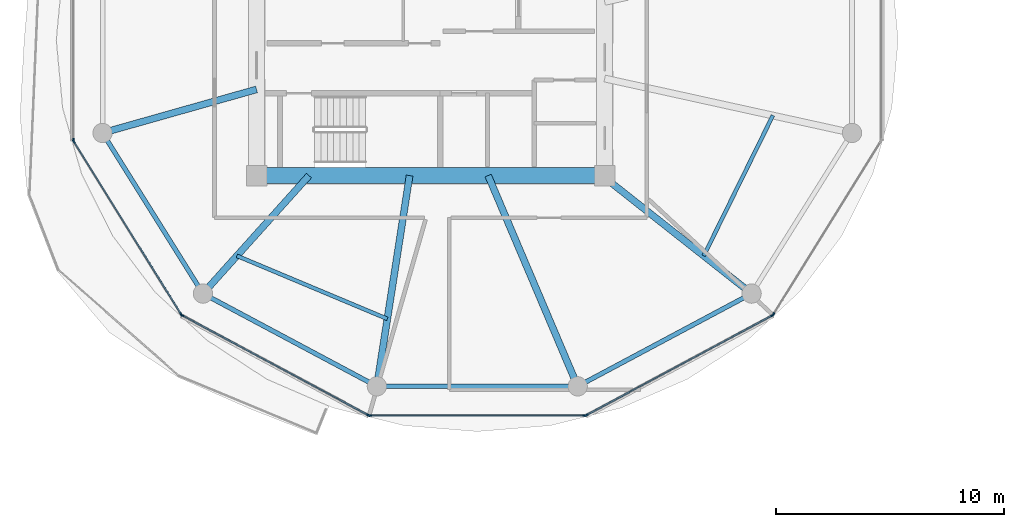
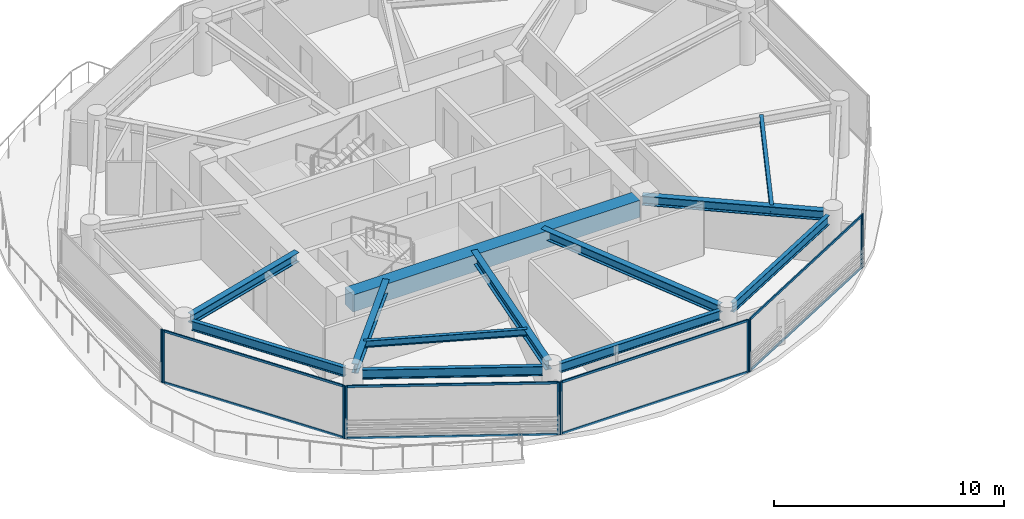
# One storey, part 2 of 22: 18 members, 12 beams, 6 elements without a shape of their own.
"""IFC4 building model written with IfcOpenShell, lengths in metres."""

from ifc_helpers import new_model, si_unit, direction, frame, origin, origin_2d, place, context, subcontext, project, spatial, rectangle, i_section, extrude, source, transform, mapped, material, layer, layer_set, material_profile, profile_set, type_object, type_shapes, element, aggregate, save


model = new_model("IFC4")

# Units and contexts
model_context = context("Model", 3, precision=1e-05, world=origin(), true_north=direction((0.0, 1.0)))
body_context = subcontext(model_context, "Body", "Model", "MODEL_VIEW")
ifc_project = project(units=[si_unit("LENGTHUNIT", "METRE"), si_unit("AREAUNIT", "SQUARE_METRE"), si_unit("VOLUMEUNIT", "CUBIC_METRE"), si_unit("PLANEANGLEUNIT", "RADIAN"), si_unit("MASSUNIT", "GRAM", prefix="KILO")], contexts=[model_context])

# Site, building, storey
site_placement = place(None, origin())
site = spatial("IfcSite", under=ifc_project, at=site_placement, CompositionType="ELEMENT")
building_placement = place(site_placement, origin())
building = spatial("IfcBuilding", under=site, at=building_placement, Name="Norrkilde Senior Care Towers", CompositionType="ELEMENT")
storey_placement = place(building_placement, frame((0.0, 0.0, 96.25)))
storey = spatial("IfcBuildingStorey", under=building, at=storey_placement, Name="L29", CompositionType="ELEMENT", Elevation=96.25)

# Beams
ifc_material_1 = material(Name="Concrete C60/75", Category="concrete")
ifc_material_profile_1 = material_profile(ifc_material_1, rectangle(XDim=0.699951171875, YDim=0.89990234375, at=origin_2d()), Name="RC BM 700x900")
ifc_profile_set_1 = profile_set([ifc_material_profile_1], Name="Concrete C60/75")
beam_type_1 = type_object("IfcBeamType", Name="Core Coupling Girder 700x900", PredefinedType="USERDEFINED", material=ifc_profile_set_1)
shared_shape_1 = source(origin(), body_context, "Body", "SweptSolid", [
    extrude(rectangle(XDim=0.699951171875, YDim=0.89990234375, at=origin_2d()), origin(), (0.0, 0.0, 1.0), 14.43994140625),
])
type_shapes(beam_type_1, [shared_shape_1])
beam_1_placement = place(storey_placement, frame((-35.219970703125, -5.949951171875, 2.340087890625), z_axis=(1.0, 0.0, 0.0), x_axis=(0.0, 1.0, 0.0)))
element("IfcBeam", 1, at=beam_1_placement, inside=storey, type_object=beam_type_1, Name="L29 Core W S Coupling Girder", ObjectType="GIRDER", PredefinedType="USERDEFINED", context=body_context, shape_type="MappedRepresentation", body=[
    mapped(shared_shape_1, transform((0.0, 0.0, 0.0), x_axis=(1.0, 0.0, 0.0), y_axis=(0.0, 1.0, 0.0), z_axis=(0.0, 0.0, 1.0), scale=1.0)),
])
ifc_material_2 = material(Name="Steel S355", Category="steel")
ifc_material_profile_2 = material_profile(ifc_material_2, i_section(OverallWidth=0.199951171875, OverallDepth=0.5, WebThickness=0.01025390625, FlangeThickness=0.01611328125, FilletRadius=0.02099609375, at=origin_2d()), Name="IPE 500")
ifc_profile_set_2 = profile_set([ifc_material_profile_2], Name="Steel S355")
beam_type_2 = type_object("IfcBeamType", Name="Perimeter Ring Spandrel Z2 IPE500", PredefinedType="SPANDREL", material=ifc_profile_set_2)
shared_shape_2 = source(origin(), body_context, "Body", "SweptSolid", [
    extrude(i_section(OverallWidth=0.199951171875, OverallDepth=0.5, WebThickness=0.01025390625, FlangeThickness=0.01611328125, FilletRadius=0.02099609375, at=origin_2d()), origin(), (0.0, 0.0, 1.0), 7.892333984375),
])
for number, where, z_axis, x_axis, name in (
    (2, (-37.66650390625, -11.318115234375, 2.5400390625), (0.882350372282, -0.47059305194, 0.0), (0.47059305194, 0.882350372282, 0.0), "L29 Drum W Perimeter Spandrel 08"),
    (3, (-21.197509765625, -15.0322265625, 2.5400390625), (0.882350372282, 0.47059305194, 0.0), (-0.47059305194, 0.882350372282, 0.0), "L29 Drum W Perimeter Spandrel 10"),
):
    element("IfcBeam", number, at=place(storey_placement, frame(where, z_axis=z_axis, x_axis=x_axis)), inside=storey, type_object=beam_type_2, Name=name, PredefinedType="SPANDREL", context=body_context, shape_type="MappedRepresentation", body=[
        mapped(shared_shape_2, transform((0.0, 0.0, 0.0), x_axis=(1.0, 0.0, 0.0), y_axis=(0.0, 1.0, 0.0), z_axis=(0.0, 0.0, 1.0), scale=1.0)),
    ])
ifc_material_profile_3 = material_profile(ifc_material_2, i_section(OverallWidth=0.300048828125, OverallDepth=0.5, WebThickness=0.014404296875, FlangeThickness=0.028076171875, FilletRadius=0.027099609375, at=origin_2d()), Name="HEB 500")
ifc_profile_set_3 = profile_set([ifc_material_profile_3], Name="Steel S355")
beam_type_3 = type_object("IfcBeamType", Name="Radial Floor Beam Z2 HEB500", PredefinedType="BEAM", material=ifc_profile_set_3)
shared_shape_3 = source(origin(), body_context, "Body", "SweptSolid", [
    extrude(i_section(OverallWidth=0.300048828125, OverallDepth=0.5, WebThickness=0.014404296875, FlangeThickness=0.028076171875, FilletRadius=0.027099609375, at=origin_2d()), origin(), (0.0, 0.0, 1.0), 7.985595703125),
])
beam_2_placement = place(storey_placement, frame((-20.463623046875, -5.949951171875, 2.5400390625), z_axis=(0.784858505144, -0.619675017169, 0.0), x_axis=(0.619675017169, 0.784858505144, 0.0)))
element("IfcBeam", 4, at=beam_2_placement, inside=storey, type_object=beam_type_3, Name="L29 Drum W Radial Floor Beam 11", PredefinedType="BEAM", context=body_context, shape_type="MappedRepresentation", body=[
    mapped(shared_shape_3, transform((0.0, 0.0, 0.0), x_axis=(1.0, 0.0, 0.0), y_axis=(0.0, 1.0, 0.0), z_axis=(0.0, 0.0, 1.0), scale=1.0)),
])
shared_shape_4 = source(origin(), body_context, "Body", "SweptSolid", [
    extrude(i_section(OverallWidth=0.199951171875, OverallDepth=0.5, WebThickness=0.01025390625, FlangeThickness=0.01611328125, FilletRadius=0.02099609375, at=origin_2d()), origin(), (0.0, 0.0, 1.0), 8.0556640625),
])
beam_3_placement = place(storey_placement, frame((-29.977783203125, -15.21337890625, 2.5400390625), z_axis=(1.0, 0.0, 0.0), x_axis=(0.0, 1.0, 0.0)))
element("IfcBeam", 5, at=beam_3_placement, inside=storey, type_object=beam_type_2, Name="L29 Drum W Perimeter Spandrel 09", PredefinedType="SPANDREL", context=body_context, shape_type="MappedRepresentation", body=[
    mapped(shared_shape_4, transform((0.0, 0.0, 0.0), x_axis=(1.0, 0.0, 0.0), y_axis=(0.0, 1.0, 0.0), z_axis=(0.0, 0.0, 1.0), scale=1.0)),
])
shared_shape_5 = source(origin(), body_context, "Body", "SweptSolid", [
    extrude(i_section(OverallWidth=0.300048828125, OverallDepth=0.5, WebThickness=0.014404296875, FlangeThickness=0.028076171875, FilletRadius=0.027099609375, at=origin_2d()), origin(), (0.0, 0.0, 1.0), 9.679443359375),
])
beam_4_placement = place(storey_placement, frame((-25.472412109375, -5.949951171875, 2.5400390625), z_axis=(0.390998033479, -0.920391513333, 0.0), x_axis=(0.920391513333, 0.390998033479, 0.0)))
element("IfcBeam", 6, at=beam_4_placement, inside=storey, type_object=beam_type_3, Name="L29 Drum W Radial Floor Beam 10", PredefinedType="BEAM", context=body_context, shape_type="MappedRepresentation", body=[
    mapped(shared_shape_5, transform((0.0, 0.0, 0.0), x_axis=(1.0, 0.0, 0.0), y_axis=(0.0, 1.0, 0.0), z_axis=(0.0, 0.0, 1.0), scale=1.0)),
])
shared_shape_6 = source(origin(), body_context, "Body", "SweptSolid", [
    extrude(i_section(OverallWidth=0.300048828125, OverallDepth=0.5, WebThickness=0.014404296875, FlangeThickness=0.028076171875, FilletRadius=0.027099609375, at=origin_2d()), origin(), (0.0, 0.0, 1.0), 8.989501953125),
])
beam_5_placement = place(storey_placement, frame((-28.924072265625, -5.949951171875, 2.5400390625), z_axis=(-0.153471298636, -0.988153105796, 0.0), x_axis=(0.988153105796, -0.153471298636, 0.0)))
element("IfcBeam", 7, at=beam_5_placement, inside=storey, type_object=beam_type_3, Name="L29 Drum W Radial Floor Beam 09", PredefinedType="BEAM", context=body_context, shape_type="MappedRepresentation", body=[
    mapped(shared_shape_6, transform((0.0, 0.0, 0.0), x_axis=(1.0, 0.0, 0.0), y_axis=(0.0, 1.0, 0.0), z_axis=(0.0, 0.0, 1.0), scale=1.0)),
])
shared_shape_7 = source(origin(), body_context, "Body", "SweptSolid", [
    extrude(i_section(OverallWidth=0.199951171875, OverallDepth=0.5, WebThickness=0.01025390625, FlangeThickness=0.01611328125, FilletRadius=0.02099609375, at=origin_2d()), origin(), (0.0, 0.0, 1.0), 7.556396484375),
])
type_shapes(beam_type_2, [shared_shape_2, shared_shape_4, shared_shape_7])
beam_6_placement = place(storey_placement, frame((-42.215087890625, -4.40283203125, 2.5400390625), z_axis=(0.530004748437, -0.847994673706, 0.0), x_axis=(0.847994673706, 0.530004748437, 0.0)))
element("IfcBeam", 8, at=beam_6_placement, inside=storey, type_object=beam_type_2, Name="L29 Drum W Perimeter Spandrel 07", PredefinedType="SPANDREL", context=body_context, shape_type="MappedRepresentation", body=[
    mapped(shared_shape_7, transform((0.0, 0.0, 0.0), x_axis=(1.0, 0.0, 0.0), y_axis=(0.0, 1.0, 0.0), z_axis=(0.0, 0.0, 1.0), scale=1.0)),
])
shared_shape_8 = source(origin(), body_context, "Body", "SweptSolid", [
    extrude(i_section(OverallWidth=0.300048828125, OverallDepth=0.5, WebThickness=0.014404296875, FlangeThickness=0.028076171875, FilletRadius=0.027099609375, at=origin_2d()), origin(), (0.0, 0.0, 1.0), 6.587890625),
])
beam_7_placement = place(storey_placement, frame((-33.345947265625, -5.949951171875, 2.5400390625), z_axis=(-0.668315438605, -0.743877997068, 0.0), x_axis=(0.743877997068, -0.668315438605, 0.0)))
element("IfcBeam", 9, at=beam_7_placement, inside=storey, type_object=beam_type_3, Name="L29 Drum W Radial Floor Beam 08", PredefinedType="BEAM", context=body_context, shape_type="MappedRepresentation", body=[
    mapped(shared_shape_8, transform((0.0, 0.0, 0.0), x_axis=(1.0, 0.0, 0.0), y_axis=(0.0, 1.0, 0.0), z_axis=(0.0, 0.0, 1.0), scale=1.0)),
])
shared_shape_9 = source(origin(), body_context, "Body", "SweptSolid", [
    extrude(i_section(OverallWidth=0.300048828125, OverallDepth=0.5, WebThickness=0.014404296875, FlangeThickness=0.028076171875, FilletRadius=0.027099609375, at=origin_2d()), origin(), (0.0, 0.0, 1.0), 6.6494140625),
])
type_shapes(beam_type_3, [shared_shape_3, shared_shape_5, shared_shape_6, shared_shape_8, shared_shape_9])
beam_8_placement = place(storey_placement, frame((-35.64990234375, -2.162841796875, 2.5400390625), z_axis=(-0.962289138357, -0.27202870106, 0.0), x_axis=(0.27202870106, -0.962289138357, 0.0)))
element("IfcBeam", 10, at=beam_8_placement, inside=storey, type_object=beam_type_3, Name="L29 Drum W Radial Floor Beam 07", PredefinedType="BEAM", context=body_context, shape_type="MappedRepresentation", body=[
    mapped(shared_shape_9, transform((0.0, 0.0, 0.0), x_axis=(1.0, 0.0, 0.0), y_axis=(0.0, 1.0, 0.0), z_axis=(0.0, 0.0, 1.0), scale=1.0)),
])
ifc_material_profile_4 = material_profile(ifc_material_2, i_section(OverallWidth=0.169921875, OverallDepth=0.360107421875, WebThickness=0.008056640625, FlangeThickness=0.0126953125, FilletRadius=0.01806640625, at=origin_2d()), Name="IPE 360")
ifc_profile_set_4 = profile_set([ifc_material_profile_4], Name="Steel S355")
beam_type_4 = type_object("IfcBeamType", Name="Secondary Floor Joist IPE360", PredefinedType="JOIST", material=ifc_profile_set_4)
shared_shape_10 = source(origin(), body_context, "Body", "SweptSolid", [
    extrude(i_section(OverallWidth=0.169921875, OverallDepth=0.360107421875, WebThickness=0.008056640625, FlangeThickness=0.0126953125, FilletRadius=0.01806640625, at=origin_2d()), origin(), (0.0, 0.0, 1.0), 7.169921875),
])
beam_9_placement = place(storey_placement, frame((-36.514892578125, -9.47705078125, 2.610107421875), z_axis=(0.922240600393, -0.386616444279, 0.0), x_axis=(0.386616444279, 0.922240600393, 0.0)))
element("IfcBeam", 11, at=beam_9_placement, inside=storey, type_object=beam_type_4, Name="L29 Drum W Secondary Floor Joist 3", PredefinedType="JOIST", context=body_context, shape_type="MappedRepresentation", body=[
    mapped(shared_shape_10, transform((0.0, 0.0, 0.0), x_axis=(1.0, 0.0, 0.0), y_axis=(0.0, 1.0, 0.0), z_axis=(0.0, 0.0, 1.0), scale=1.0)),
])
shared_shape_11 = source(origin(), body_context, "Body", "SweptSolid", [
    extrude(i_section(OverallWidth=0.169921875, OverallDepth=0.360107421875, WebThickness=0.008056640625, FlangeThickness=0.0126953125, FilletRadius=0.01806640625, at=origin_2d()), origin(), (0.0, 0.0, 1.0), 6.87353515625),
])
type_shapes(beam_type_4, [shared_shape_10, shared_shape_11])
beam_10_placement = place(storey_placement, frame((-15.99609375, -9.47705078125, 2.610107421875), z_axis=(0.44184939592, 0.897089243791, 0.0), x_axis=(-0.897089243791, 0.44184939592, 0.0)))
element("IfcBeam", 12, at=beam_10_placement, inside=storey, type_object=beam_type_4, Name="L29 Drum W Secondary Floor Joist 4", PredefinedType="JOIST", context=body_context, shape_type="MappedRepresentation", body=[
    mapped(shared_shape_11, transform((0.0, 0.0, 0.0), x_axis=(1.0, 0.0, 0.0), y_axis=(0.0, 1.0, 0.0), z_axis=(0.0, 0.0, 1.0), scale=1.0)),
])

# Curtain wall, member
ifc_material_3 = material(Name="Triple Low-E Insulated Glazing", Category="glass")
ifc_layer = layer(ifc_material_3, 0.195068359375)
ifc_layer_set = layer_set([ifc_layer], Name="Triple Low-E Insulated Glazing")
curtain_wall_type = type_object("IfcCurtainWallType", Name="CW3 Zone 2 Assisted Living Curtain Wall", PredefinedType="NOTDEFINED", material=ifc_layer_set)
curtain_wall_1_placement = place(storey_placement, origin())
curtain_wall_1 = element("IfcCurtainWall", 13, at=curtain_wall_1_placement, inside=storey, type_object=curtain_wall_type, Name="L29 Drum W Curtain Wall 05", PredefinedType="NOTDEFINED")
ifc_material_4 = material(Name="Anodised Aluminium", Category="aluminium")
ifc_material_profile_5 = material_profile(ifc_material_4, rectangle(XDim=0.06494140625, YDim=0.159912109375, at=origin_2d()), Name="ALU MULL 65x160")
ifc_profile_set_5 = profile_set([ifc_material_profile_5], Name="Anodised Aluminium")
member_type_1 = type_object("IfcMemberType", Name="Curtain Wall Mullion Z1-Z2 65x160", PredefinedType="MULLION", material=ifc_profile_set_5)
shared_shape_12 = source(origin(), body_context, "Body", "SweptSolid", [
    extrude(rectangle(XDim=0.06494140625, YDim=0.159912109375, at=origin_2d()), origin(), (0.0, 0.0, 1.0), 2.7900390625),
])
type_shapes(member_type_1, [shared_shape_12])
member_1_placement = place(storey_placement, frame((-43.70361328125, -4.38818359375, 0.0), z_axis=(0.0, 0.0, 1.0), x_axis=(-1.0, 0.0, 0.0)))
member_1 = element("IfcMember", 14, at=member_1_placement, type_object=member_type_1, Name="CW-3 mullion 1", PredefinedType="MULLION", context=body_context, shape_type="MappedRepresentation", body=[
    mapped(shared_shape_12, transform((0.0, 0.0, 0.0), x_axis=(1.0, 0.0, 0.0), y_axis=(0.0, 1.0, 0.0), z_axis=(0.0, 0.0, 1.0), scale=1.0)),
])
aggregate(curtain_wall_1, [member_1])

# Curtain wall, members
curtain_wall_2_placement = place(storey_placement, origin())
curtain_wall_2 = element("IfcCurtainWall", 15, at=curtain_wall_2_placement, inside=storey, type_object=curtain_wall_type, Name="L29 Drum W Curtain Wall 06", PredefinedType="NOTDEFINED")
member_2_placement = place(storey_placement, frame((-38.9638671875, -12.0498046875, 0.0), z_axis=(0.0, 0.0, 1.0), x_axis=(-0.849410171862, -0.527733228002, 0.0)))
member_2 = element("IfcMember", 16, at=member_2_placement, type_object=member_type_1, Name="CW-3 mullion 1", PredefinedType="MULLION", context=body_context, shape_type="MappedRepresentation", body=[
    mapped(shared_shape_12, transform((0.0, 0.0, 0.0), x_axis=(1.0, 0.0, 0.0), y_axis=(0.0, 1.0, 0.0), z_axis=(0.0, 0.0, 1.0), scale=1.0)),
])
member_3_placement = place(storey_placement, frame((-43.6865234375, -4.4482421875, 0.0), z_axis=(0.0, 0.0, 1.0), x_axis=(-0.849410171862, -0.527733228002, 0.0)))
member_3 = element("IfcMember", 17, at=member_3_placement, type_object=member_type_1, Name="CW-3 mullion 2", PredefinedType="MULLION", context=body_context, shape_type="MappedRepresentation", body=[
    mapped(shared_shape_12, transform((0.0, 0.0, 0.0), x_axis=(1.0, 0.0, 0.0), y_axis=(0.0, 1.0, 0.0), z_axis=(0.0, 0.0, 1.0), scale=1.0)),
])

curtain_wall_3_placement = place(storey_placement, origin())
curtain_wall_3 = element("IfcCurtainWall", 18, at=curtain_wall_3_placement, inside=storey, type_object=curtain_wall_type, Name="L29 Drum W Curtain Wall 07", PredefinedType="NOTDEFINED")
member_4_placement = place(storey_placement, frame((-30.73583984375, -16.482666015625, 0.0), z_axis=(0.0, 0.0, 1.0), x_axis=(-0.472769402511, -0.881186184668, 0.0)))
member_4 = element("IfcMember", 19, at=member_4_placement, type_object=member_type_1, Name="CW-3 mullion 1", PredefinedType="MULLION", context=body_context, shape_type="MappedRepresentation", body=[
    mapped(shared_shape_12, transform((0.0, 0.0, 0.0), x_axis=(1.0, 0.0, 0.0), y_axis=(0.0, 1.0, 0.0), z_axis=(0.0, 0.0, 1.0), scale=1.0)),
])
member_5_placement = place(storey_placement, frame((-38.91796875, -12.0927734375, 0.0), z_axis=(0.0, 0.0, 1.0), x_axis=(-0.472769402511, -0.881186184668, 0.0)))
member_5 = element("IfcMember", 20, at=member_5_placement, type_object=member_type_1, Name="CW-3 mullion 2", PredefinedType="MULLION", context=body_context, shape_type="MappedRepresentation", body=[
    mapped(shared_shape_12, transform((0.0, 0.0, 0.0), x_axis=(1.0, 0.0, 0.0), y_axis=(0.0, 1.0, 0.0), z_axis=(0.0, 0.0, 1.0), scale=1.0)),
])

curtain_wall_4_placement = place(storey_placement, origin())
curtain_wall_4 = element("IfcCurtainWall", 21, at=curtain_wall_4_placement, inside=storey, type_object=curtain_wall_type, Name="L29 Drum W Curtain Wall 08", PredefinedType="NOTDEFINED")
member_6_placement = place(storey_placement, frame((-21.225341796875, -16.498046875, 0.0), z_axis=(0.0, 0.0, 1.0), x_axis=(0.0, -1.0, 0.0)))
member_6 = element("IfcMember", 22, at=member_6_placement, type_object=member_type_1, Name="CW-3 mullion 1", PredefinedType="MULLION", context=body_context, shape_type="MappedRepresentation", body=[
    mapped(shared_shape_12, transform((0.0, 0.0, 0.0), x_axis=(1.0, 0.0, 0.0), y_axis=(0.0, 1.0, 0.0), z_axis=(0.0, 0.0, 1.0), scale=1.0)),
])
member_7_placement = place(storey_placement, frame((-30.674560546875, -16.498046875, 0.0), z_axis=(0.0, 0.0, 1.0), x_axis=(0.0, -1.0, 0.0)))
member_7 = element("IfcMember", 23, at=member_7_placement, type_object=member_type_1, Name="CW-3 mullion 2", PredefinedType="MULLION", context=body_context, shape_type="MappedRepresentation", body=[
    mapped(shared_shape_12, transform((0.0, 0.0, 0.0), x_axis=(1.0, 0.0, 0.0), y_axis=(0.0, 1.0, 0.0), z_axis=(0.0, 0.0, 1.0), scale=1.0)),
])

curtain_wall_5_placement = place(storey_placement, origin())
curtain_wall_5 = element("IfcCurtainWall", 24, at=curtain_wall_5_placement, inside=storey, type_object=curtain_wall_type, Name="L29 Drum W Curtain Wall 09", PredefinedType="NOTDEFINED")
member_8_placement = place(storey_placement, frame((-12.98193359375, -12.0927734375, 0.0), z_axis=(0.0, 0.0, 1.0), x_axis=(0.472769402511, -0.881186184668, 0.0)))
member_8 = element("IfcMember", 25, at=member_8_placement, type_object=member_type_1, Name="CW-3 mullion 1", PredefinedType="MULLION", context=body_context, shape_type="MappedRepresentation", body=[
    mapped(shared_shape_12, transform((0.0, 0.0, 0.0), x_axis=(1.0, 0.0, 0.0), y_axis=(0.0, 1.0, 0.0), z_axis=(0.0, 0.0, 1.0), scale=1.0)),
])
member_9_placement = place(storey_placement, frame((-21.164306640625, -16.482666015625, 0.0), z_axis=(0.0, 0.0, 1.0), x_axis=(0.472769402511, -0.881186184668, 0.0)))
member_9 = element("IfcMember", 26, at=member_9_placement, type_object=member_type_1, Name="CW-3 mullion 2", PredefinedType="MULLION", context=body_context, shape_type="MappedRepresentation", body=[
    mapped(shared_shape_12, transform((0.0, 0.0, 0.0), x_axis=(1.0, 0.0, 0.0), y_axis=(0.0, 1.0, 0.0), z_axis=(0.0, 0.0, 1.0), scale=1.0)),
])

# Curtain wall, member
curtain_wall_6_placement = place(storey_placement, origin())
curtain_wall_6 = element("IfcCurtainWall", 27, at=curtain_wall_6_placement, inside=storey, type_object=curtain_wall_type, Name="L29 Drum W Curtain Wall 10", PredefinedType="NOTDEFINED")
member_10_placement = place(storey_placement, frame((-12.936279296875, -12.0498046875, 0.0), z_axis=(0.0, 0.0, 1.0), x_axis=(0.849410171862, -0.527733228002, 0.0)))
member_10 = element("IfcMember", 28, at=member_10_placement, type_object=member_type_1, Name="CW-3 mullion 2", PredefinedType="MULLION", context=body_context, shape_type="MappedRepresentation", body=[
    mapped(shared_shape_12, transform((0.0, 0.0, 0.0), x_axis=(1.0, 0.0, 0.0), y_axis=(0.0, 1.0, 0.0), z_axis=(0.0, 0.0, 1.0), scale=1.0)),
])
aggregate(curtain_wall_6, [member_10])

# Member
ifc_material_profile_6 = material_profile(ifc_material_4, rectangle(XDim=0.06005859375, YDim=0.1201171875, at=origin_2d()), Name="ALU TRAN 60x120")
ifc_profile_set_6 = profile_set([ifc_material_profile_6], Name="Anodised Aluminium")
member_type_2 = type_object("IfcMemberType", Name="Curtain Wall Transom Typical 60x120", PredefinedType="USERDEFINED", material=ifc_profile_set_6)
shared_shape_13 = source(origin(), body_context, "Body", "SweptSolid", [
    extrude(rectangle(XDim=0.06005859375, YDim=0.1201171875, at=origin_2d()), origin(), (0.0, 0.0, 1.0), 8.88427734375),
])
member_11_placement = place(storey_placement, frame((-38.98095703125, -12.022216796875, 0.030029296875), z_axis=(-0.527729466743, 0.849412508697, 0.0), x_axis=(-0.849412508697, -0.527729466743, 0.0)))
member_11 = element("IfcMember", 29, at=member_11_placement, type_object=member_type_2, Name="CW-3 transom 1.1", ObjectType="TRANSOM", PredefinedType="USERDEFINED", context=body_context, shape_type="MappedRepresentation", body=[
    mapped(shared_shape_13, transform((0.0, 0.0, 0.0), x_axis=(1.0, 0.0, 0.0), y_axis=(0.0, 1.0, 0.0), z_axis=(0.0, 0.0, 1.0), scale=1.0)),
])

member_12_placement = place(storey_placement, frame((-38.98095703125, -12.022216796875, 2.760009765625), z_axis=(-0.527729466743, 0.849412508697, 0.0), x_axis=(-0.849412508697, -0.527729466743, 0.0)))
member_12 = element("IfcMember", 30, at=member_12_placement, type_object=member_type_2, Name="CW-3 transom 1.2", ObjectType="TRANSOM", PredefinedType="USERDEFINED", context=body_context, shape_type="MappedRepresentation", body=[
    mapped(shared_shape_13, transform((0.0, 0.0, 0.0), x_axis=(1.0, 0.0, 0.0), y_axis=(0.0, 1.0, 0.0), z_axis=(0.0, 0.0, 1.0), scale=1.0)),
])

aggregate(curtain_wall_2, [member_2, member_3, member_11, member_12])

shared_shape_14 = source(origin(), body_context, "Body", "SweptSolid", [
    extrude(rectangle(XDim=0.06005859375, YDim=0.1201171875, at=origin_2d()), origin(), (0.0, 0.0, 1.0), 9.220458984375),
])
member_13_placement = place(storey_placement, frame((-30.764404296875, -16.46728515625, 0.030029296875), z_axis=(-0.881188517866, 0.472765053681, 0.0), x_axis=(-0.472765053681, -0.881188517866, 0.0)))
member_13 = element("IfcMember", 31, at=member_13_placement, type_object=member_type_2, Name="CW-3 transom 1.1", ObjectType="TRANSOM", PredefinedType="USERDEFINED", context=body_context, shape_type="MappedRepresentation", body=[
    mapped(shared_shape_14, transform((0.0, 0.0, 0.0), x_axis=(1.0, 0.0, 0.0), y_axis=(0.0, 1.0, 0.0), z_axis=(0.0, 0.0, 1.0), scale=1.0)),
])

member_14_placement = place(storey_placement, frame((-30.764404296875, -16.46728515625, 2.760009765625), z_axis=(-0.881188517866, 0.472765053681, 0.0), x_axis=(-0.472765053681, -0.881188517866, 0.0)))
member_14 = element("IfcMember", 32, at=member_14_placement, type_object=member_type_2, Name="CW-3 transom 1.2", ObjectType="TRANSOM", PredefinedType="USERDEFINED", context=body_context, shape_type="MappedRepresentation", body=[
    mapped(shared_shape_14, transform((0.0, 0.0, 0.0), x_axis=(1.0, 0.0, 0.0), y_axis=(0.0, 1.0, 0.0), z_axis=(0.0, 0.0, 1.0), scale=1.0)),
])

aggregate(curtain_wall_3, [member_4, member_5, member_13, member_14])

member_15_placement = place(storey_placement, frame((-13.0107421875, -12.108154296875, 0.030029296875), z_axis=(-0.881188517866, -0.472765053681, 0.0), x_axis=(0.472765053681, -0.881188517866, 0.0)))
member_15 = element("IfcMember", 33, at=member_15_placement, type_object=member_type_2, Name="CW-3 transom 1.1", ObjectType="TRANSOM", PredefinedType="USERDEFINED", context=body_context, shape_type="MappedRepresentation", body=[
    mapped(shared_shape_14, transform((0.0, 0.0, 0.0), x_axis=(1.0, 0.0, 0.0), y_axis=(0.0, 1.0, 0.0), z_axis=(0.0, 0.0, 1.0), scale=1.0)),
])

member_16_placement = place(storey_placement, frame((-13.0107421875, -12.108154296875, 2.760009765625), z_axis=(-0.881188517866, -0.472765053681, 0.0), x_axis=(0.472765053681, -0.881188517866, 0.0)))
member_16 = element("IfcMember", 34, at=member_16_placement, type_object=member_type_2, Name="CW-3 transom 1.2", ObjectType="TRANSOM", PredefinedType="USERDEFINED", context=body_context, shape_type="MappedRepresentation", body=[
    mapped(shared_shape_14, transform((0.0, 0.0, 0.0), x_axis=(1.0, 0.0, 0.0), y_axis=(0.0, 1.0, 0.0), z_axis=(0.0, 0.0, 1.0), scale=1.0)),
])

aggregate(curtain_wall_5, [member_8, member_9, member_15, member_16])

shared_shape_15 = source(origin(), body_context, "Body", "SweptSolid", [
    extrude(rectangle(XDim=0.06005859375, YDim=0.1201171875, at=origin_2d()), origin(), (0.0, 0.0, 1.0), 9.38427734375),
])
type_shapes(member_type_2, [shared_shape_13, shared_shape_14, shared_shape_15])
member_17_placement = place(storey_placement, frame((-21.2578125, -16.498046875, 0.030029296875), z_axis=(-1.0, 0.0, 0.0), x_axis=(0.0, -1.0, 0.0)))
member_17 = element("IfcMember", 35, at=member_17_placement, type_object=member_type_2, Name="CW-3 transom 1.1", ObjectType="TRANSOM", PredefinedType="USERDEFINED", context=body_context, shape_type="MappedRepresentation", body=[
    mapped(shared_shape_15, transform((0.0, 0.0, 0.0), x_axis=(1.0, 0.0, 0.0), y_axis=(0.0, 1.0, 0.0), z_axis=(0.0, 0.0, 1.0), scale=1.0)),
])

member_18_placement = place(storey_placement, frame((-21.2578125, -16.498046875, 2.760009765625), z_axis=(-1.0, 0.0, 0.0), x_axis=(0.0, -1.0, 0.0)))
member_18 = element("IfcMember", 36, at=member_18_placement, type_object=member_type_2, Name="CW-3 transom 1.2", ObjectType="TRANSOM", PredefinedType="USERDEFINED", context=body_context, shape_type="MappedRepresentation", body=[
    mapped(shared_shape_15, transform((0.0, 0.0, 0.0), x_axis=(1.0, 0.0, 0.0), y_axis=(0.0, 1.0, 0.0), z_axis=(0.0, 0.0, 1.0), scale=1.0)),
])

aggregate(curtain_wall_4, [member_6, member_7, member_17, member_18])

save(model, "model.ifc")
